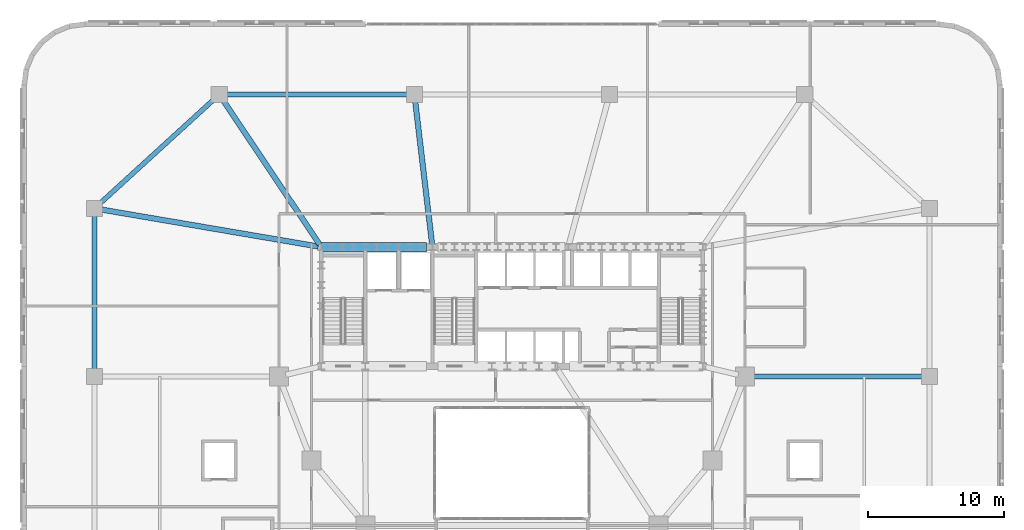
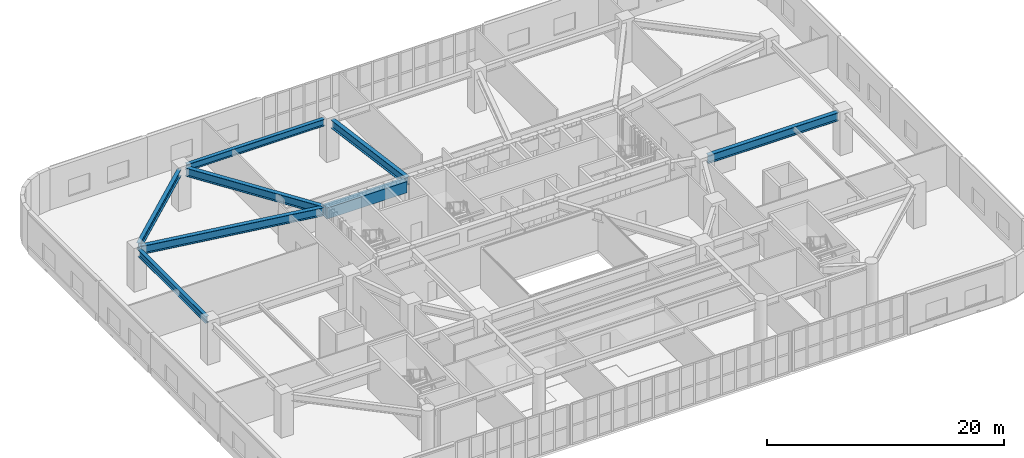
# One storey, part 8 of 25: 8 beams.
"""IFC4 building model written with IfcOpenShell, lengths in metres."""

from ifc_helpers import new_model, si_unit, direction, frame, origin, origin_2d, place, context, subcontext, project, spatial, rectangle, i_section, extrude, material, material_profile, profile_set, type_object, element, save


model = new_model("IFC4")

# Units and contexts
model_context = context("Model", 3, precision=1e-05, world=origin(), true_north=direction((0.0, 1.0)))
body_context = subcontext(model_context, "Body", "Model", "MODEL_VIEW")
ifc_project = project(units=[si_unit("LENGTHUNIT", "METRE"), si_unit("AREAUNIT", "SQUARE_METRE"), si_unit("VOLUMEUNIT", "CUBIC_METRE"), si_unit("PLANEANGLEUNIT", "RADIAN"), si_unit("MASSUNIT", "GRAM", prefix="KILO")], contexts=[model_context])

# Site, building, storey
site_placement = place(None, origin())
site = spatial("IfcSite", under=ifc_project, at=site_placement, CompositionType="ELEMENT")
building_placement = place(site_placement, origin())
building = spatial("IfcBuilding", under=site, at=building_placement, Name="Haldorwick Loom Tower", CompositionType="ELEMENT")
storey_placement = place(building_placement, frame((0.0, 0.0, 15.0)))
storey = spatial("IfcBuildingStorey", under=building, at=storey_placement, Name="L03", CompositionType="ELEMENT", Elevation=15.0)

# Beams
ifc_material_1 = material(Name="Concrete C60 (60 MPa)", Category="concrete")
ifc_material_profile_1 = material_profile(ifc_material_1, rectangle(XDim=0.699951171875, YDim=1.14990234375, at=origin_2d()), Name="RC700X1150", Category="concrete")
ifc_profile_set_1 = profile_set([ifc_material_profile_1], Name="Concrete C60 (60 MPa)")
beam_type_1 = type_object("IfcBeamType", Name="STR-BM-CB1150", PredefinedType="LINTEL", material=ifc_profile_set_1)
beam_1_placement = place(storey_placement, frame((21.89990234375, 35.550048828125, 3.625), z_axis=(1.0, 0.0, 0.0), x_axis=(0.0, 1.0, 0.0)))
element("IfcBeam", 1, at=beam_1_placement, inside=storey, type_object=beam_type_1, Name="L03 Core Coupling Beam CB-N1", PredefinedType="LINTEL", context=body_context, shape_type="SweptSolid", body=[
    extrude(rectangle(XDim=0.699951171875, YDim=1.14990234375, at=origin_2d()), origin(), (0.0, 0.0, 1.0), 7.800048828125),
])
ifc_material_2 = material(Name="Steel CSA G40.21 350W", Category="steel")
ifc_material_profile_2 = material_profile(ifc_material_2, i_section(OverallWidth=0.35498046875, OverallDepth=0.695068359375, WebThickness=0.015380859375, FlangeThickness=0.02490234375, at=origin_2d()), Name="W690X217", Category="steel")
ifc_profile_set_2 = profile_set([ifc_material_profile_2], Name="Steel CSA G40.21 350W")
beam_type_2 = type_object("IfcBeamType", Name="STR-BM-SP690", PredefinedType="SPANDREL", material=ifc_profile_set_2)
beam_2_placement = place(storey_placement, frame((28.320068359375, 46.800048828125, 3.8525390625), z_axis=(-1.0, 0.0, 0.0), x_axis=(0.0, -1.0, 0.0)))
element("IfcBeam", 2, at=beam_2_placement, inside=storey, type_object=beam_type_2, Name="L03 Podium Spandrel PSP-N3", PredefinedType="SPANDREL", context=body_context, shape_type="SweptSolid", body=[
    extrude(i_section(OverallWidth=0.35498046875, OverallDepth=0.695068359375, WebThickness=0.015380859375, FlangeThickness=0.02490234375, at=origin_2d()), origin(), (0.0, 0.0, 1.0), 13.440185546875),
])
beam_3_placement = place(storey_placement, frame((14.04541015625, 46.476318359375, 3.8525390625), z_axis=(-0.738482735745, -0.674272384876, 0.0), x_axis=(0.674272384876, -0.738482735745, 0.0)))
element("IfcBeam", 3, at=beam_3_placement, inside=storey, type_object=beam_type_2, Name="L03 Podium Spandrel PSP-N4", PredefinedType="SPANDREL", context=body_context, shape_type="SweptSolid", body=[
    extrude(i_section(OverallWidth=0.35498046875, OverallDepth=0.695068359375, WebThickness=0.015380859375, FlangeThickness=0.02490234375, at=origin_2d()), origin(), (0.0, 0.0, 1.0), 11.497802734375),
])
beam_4_placement = place(storey_placement, frame((5.199951171875, 37.919921875, 3.8525390625), z_axis=(0.0, -1.0, 0.0), x_axis=(1.0, 0.0, 0.0)))
element("IfcBeam", 4, at=beam_4_placement, inside=storey, type_object=beam_type_2, Name="L03 Podium Spandrel PSP-W1", PredefinedType="SPANDREL", context=body_context, shape_type="SweptSolid", body=[
    extrude(i_section(OverallWidth=0.35498046875, OverallDepth=0.695068359375, WebThickness=0.015380859375, FlangeThickness=0.02490234375, at=origin_2d()), origin(), (0.0, 0.0, 1.0), 11.43994140625),
])
ifc_material_profile_3 = material_profile(ifc_material_2, i_section(OverallWidth=0.39990234375, OverallDepth=0.85498046875, WebThickness=0.018310546875, FlangeThickness=0.029296875, at=origin_2d()), Name="W840X299", Category="steel")
ifc_profile_set_3 = profile_set([ifc_material_profile_3], Name="Steel CSA G40.21 350W")
beam_type_3 = type_object("IfcBeamType", Name="STR-BM-W840", PredefinedType="BEAM", material=ifc_profile_set_3)
beam_5_placement = place(storey_placement, frame((5.6435546875, 38.324462890625, 3.7724609375), z_axis=(0.985799279017, -0.167927905632, 0.0), x_axis=(0.167927905632, 0.985799279017, 0.0)))
element("IfcBeam", 5, at=beam_5_placement, inside=storey, type_object=beam_type_3, Name="L03 Podium Primary Girder PG-10", PredefinedType="BEAM", context=body_context, shape_type="SweptSolid", body=[
    extrude(i_section(OverallWidth=0.39990234375, OverallDepth=0.85498046875, WebThickness=0.018310546875, FlangeThickness=0.029296875, at=origin_2d()), origin(), (0.0, 0.0, 1.0), 16.296142578125),
])
beam_6_placement = place(storey_placement, frame((14.650390625, 46.426025390625, 3.7724609375), z_axis=(0.556223597649, -0.831032676504, 0.0), x_axis=(0.831032676504, 0.556223597649, 0.0)))
element("IfcBeam", 6, at=beam_6_placement, inside=storey, type_object=beam_type_3, Name="L03 Podium Primary Girder PG-12", PredefinedType="BEAM", context=body_context, shape_type="SweptSolid", body=[
    extrude(i_section(OverallWidth=0.39990234375, OverallDepth=0.85498046875, WebThickness=0.018310546875, FlangeThickness=0.029296875, at=origin_2d()), origin(), (0.0, 0.0, 1.0), 12.8623046875),
])
beam_7_placement = place(storey_placement, frame((28.852783203125, 46.35302734375, 3.7724609375), z_axis=(0.11740367245, -0.993084275223, 0.0), x_axis=(0.993084275223, 0.11740367245, 0.0)))
element("IfcBeam", 7, at=beam_7_placement, inside=storey, type_object=beam_type_3, Name="L03 Podium Primary Girder PG-13", PredefinedType="BEAM", context=body_context, shape_type="SweptSolid", body=[
    extrude(i_section(OverallWidth=0.39990234375, OverallDepth=0.85498046875, WebThickness=0.018310546875, FlangeThickness=0.029296875, at=origin_2d()), origin(), (0.0, 0.0, 1.0), 10.6533203125),
])
beam_8_placement = place(storey_placement, frame((53.64990234375, 26.0, 3.7724609375), z_axis=(1.0, 0.0, 0.0), x_axis=(0.0, 1.0, 0.0)))
element("IfcBeam", 8, at=beam_8_placement, inside=storey, type_object=beam_type_3, Name="L03 Podium Primary Girder PG-09", PredefinedType="BEAM", context=body_context, shape_type="SweptSolid", body=[
    extrude(i_section(OverallWidth=0.39990234375, OverallDepth=0.85498046875, WebThickness=0.018310546875, FlangeThickness=0.029296875, at=origin_2d()), origin(), (0.0, 0.0, 1.0), 12.7001953125),
])

save(model, "model.ifc")
